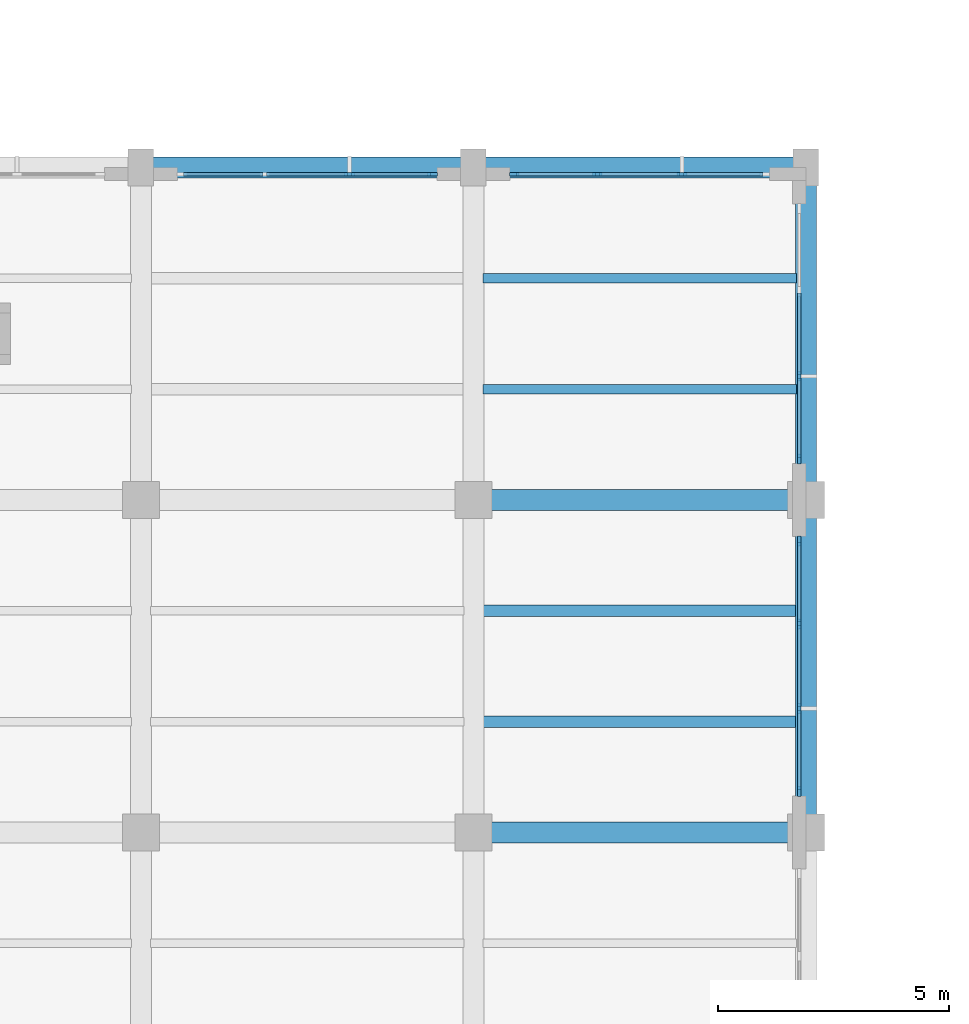
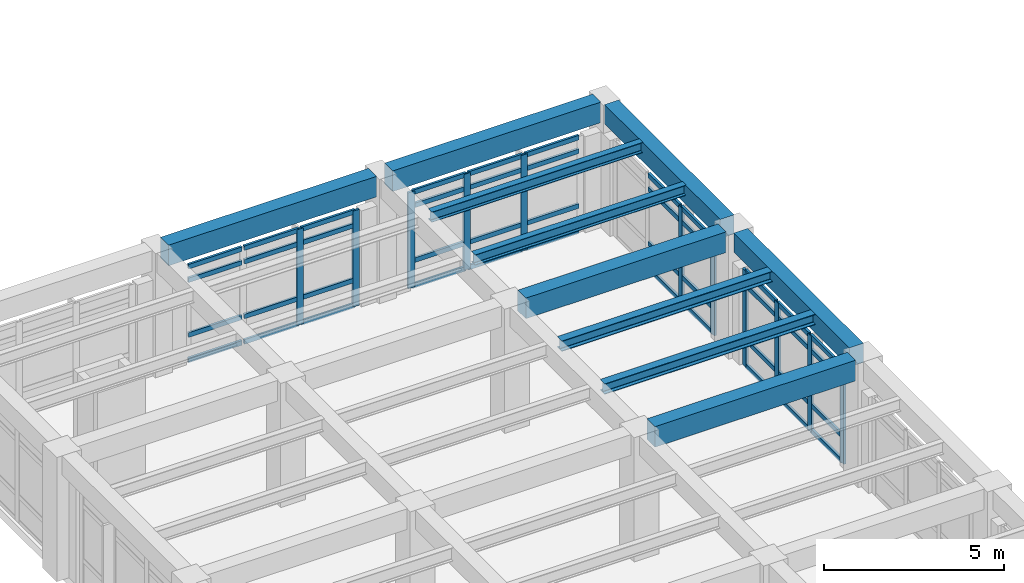
# One storey, part 21 of 67: 55 members, 10 beams, 4 elements without a shape of their own.
"""IFC4 building model written with IfcOpenShell, lengths in metres."""

from ifc_helpers import new_model, si_unit, direction, frame, origin, origin_2d, place, context, subcontext, project, spatial, rectangle, i_section, extrude, material, layer, layer_set, material_profile, profile_set, type_object, element, aggregate, save


model = new_model("IFC4")

# Units and contexts
model_context = context("Model", 3, precision=1e-05, world=origin(), true_north=direction((0.0, 1.0)))
body_context = subcontext(model_context, "Body", "Model", "MODEL_VIEW")
ifc_project = project(units=[si_unit("LENGTHUNIT", "METRE"), si_unit("AREAUNIT", "SQUARE_METRE"), si_unit("VOLUMEUNIT", "CUBIC_METRE"), si_unit("PLANEANGLEUNIT", "RADIAN"), si_unit("MASSUNIT", "GRAM", prefix="KILO")], contexts=[model_context])

# Site, building, storey
site_placement = place(None, origin())
site = spatial("IfcSite", under=ifc_project, at=site_placement, CompositionType="ELEMENT")
building_placement = place(site_placement, origin())
building = spatial("IfcBuilding", under=site, at=building_placement, Name="Solenvale Faculty of Natural Sciences", CompositionType="ELEMENT")
storey_placement = place(building_placement, frame((0.0, 0.0, 13.5)))
storey = spatial("IfcBuildingStorey", under=building, at=storey_placement, Name="L03", CompositionType="ELEMENT", Elevation=13.5)

# Beams
ifc_material_1 = material(Name="Concrete 40 MPa", Category="concrete")
ifc_material_profile_1 = material_profile(ifc_material_1, rectangle(XDim=0.449951171875, YDim=0.64990234375, at=origin_2d()), Name="RC-BM-450x650")
ifc_profile_set_1 = profile_set([ifc_material_profile_1], Name="Concrete 40 MPa")
beam_type_1 = type_object("IfcBeamType", Name="BM-RC-450x650", PredefinedType="BEAM", material=ifc_profile_set_1)
for number, where, z_axis, x_axis, name in (
    (1, (57.60009765625, 79.580078125, 3.89501953125), (0.0, 1.0, 0.0), (-1.0, 0.0, 0.0), "L03 Y-Girder X57.6 (79.2..86.4)"),
    (2, (57.60009765625, 86.780029296875, 3.89501953125), (0.0, 1.0, 0.0), (-1.0, 0.0, 0.0), "L03 Y-Girder X57.6 (86.4..93.6)"),
):
    element("IfcBeam", number, at=place(storey_placement, frame(where, z_axis=z_axis, x_axis=x_axis)), inside=storey, type_object=beam_type_1, Name=name, PredefinedType="BEAM", context=body_context, shape_type="SweptSolid", body=[
        extrude(rectangle(XDim=0.449951171875, YDim=0.64990234375, at=origin_2d()), origin(), (0.0, 0.0, 1.0), 6.43994140625),
    ])
ifc_material_profile_2 = material_profile(ifc_material_1, rectangle(XDim=0.449951171875, YDim=0.699951171875, at=origin_2d()), Name="RC-BM-450x700")
ifc_profile_set_2 = profile_set([ifc_material_profile_2], Name="Concrete 40 MPa")
beam_type_2 = type_object("IfcBeamType", Name="BM-RC-450x700", PredefinedType="BEAM", material=ifc_profile_set_2)
for number, where, z_axis, x_axis, name in (
    (3, (50.780029296875, 79.199951171875, 3.8701171875), (1.0, 0.0, 0.0), (0.0, 1.0, 0.0), "L03 X-Girder Y79.2 (50.4..57.6)"),
    (4, (50.780029296875, 86.39990234375, 3.8701171875), (1.0, 0.0, 0.0), (0.0, 1.0, 0.0), "L03 X-Girder Y86.4 (50.4..57.6)"),
):
    element("IfcBeam", number, at=place(storey_placement, frame(where, z_axis=z_axis, x_axis=x_axis)), inside=storey, type_object=beam_type_2, Name=name, PredefinedType="BEAM", context=body_context, shape_type="SweptSolid", body=[
        extrude(rectangle(XDim=0.449951171875, YDim=0.699951171875, at=origin_2d()), origin(), (0.0, 0.0, 1.0), 6.43994140625),
    ])
for number, where, z_axis, x_axis, name in (
    (5, (43.455078125, 93.60009765625, 3.8701171875), (1.0, 0.0, 0.0), (0.0, 1.0, 0.0), "L03 X-Girder Y93.6 (43.2..50.4)"),
    (6, (50.655029296875, 93.60009765625, 3.8701171875), (1.0, 0.0, 0.0), (0.0, 1.0, 0.0), "L03 X-Girder Y93.6 (50.4..57.6)"),
):
    element("IfcBeam", number, at=place(storey_placement, frame(where, z_axis=z_axis, x_axis=x_axis)), inside=storey, type_object=beam_type_2, Name=name, PredefinedType="BEAM", context=body_context, shape_type="SweptSolid", body=[
        extrude(rectangle(XDim=0.449951171875, YDim=0.699951171875, at=origin_2d()), origin(), (0.0, 0.0, 1.0), 6.68994140625),
    ])
ifc_material_2 = material(Name="Steel S355", Category="steel")
ifc_material_profile_3 = material_profile(ifc_material_2, i_section(OverallWidth=0.2548828125, OverallDepth=0.35693359375, WebThickness=0.010498046875, FlangeThickness=0.018310546875, FilletRadius=0.014892578125, at=origin_2d()), Name="W360x101")
ifc_profile_set_3 = profile_set([ifc_material_profile_3], Name="Steel S355")
beam_type_3 = type_object("IfcBeamType", Name="BM-STL-W360x101", PredefinedType="JOIST", material=ifc_profile_set_3)
for number, where, z_axis, x_axis, name in (
    (7, (50.60498046875, 81.60009765625, 4.04150390625), (1.0, 0.0, 0.0), (0.0, 1.0, 0.0), "L03 Composite Floor Joist (8,12).1"),
    (8, (50.60498046875, 84.0, 4.04150390625), (1.0, 0.0, 0.0), (0.0, 1.0, 0.0), "L03 Composite Floor Joist (8,12).2"),
):
    element("IfcBeam", number, at=place(storey_placement, frame(where, z_axis=z_axis, x_axis=x_axis)), inside=storey, type_object=beam_type_3, Name=name, PredefinedType="JOIST", context=body_context, shape_type="SweptSolid", body=[
        extrude(i_section(OverallWidth=0.2548828125, OverallDepth=0.35693359375, WebThickness=0.010498046875, FlangeThickness=0.018310546875, FilletRadius=0.014892578125, at=origin_2d()), origin(), (0.0, 0.0, 1.0), 6.7900390625),
    ])
ifc_material_profile_4 = material_profile(ifc_material_2, i_section(OverallWidth=0.2041015625, OverallDepth=0.35009765625, WebThickness=0.008544921875, FlangeThickness=0.01513671875, FilletRadius=0.014892578125, at=origin_2d()), Name="W360x72")
ifc_profile_set_4 = profile_set([ifc_material_profile_4], Name="Steel S355")
beam_type_4 = type_object("IfcBeamType", Name="BM-STL-W360x72", PredefinedType="JOIST", material=ifc_profile_set_4)
for number, where, z_axis, x_axis, name in (
    (9, (50.60498046875, 88.800048828125, 4.044921875), (1.0, 0.0, 0.0), (0.0, 1.0, 0.0), "L03 Composite Floor Joist (8,13).1"),
    (10, (50.60498046875, 91.199951171875, 4.044921875), (1.0, 0.0, 0.0), (0.0, 1.0, 0.0), "L03 Composite Floor Joist (8,13).2"),
):
    element("IfcBeam", number, at=place(storey_placement, frame(where, z_axis=z_axis, x_axis=x_axis)), inside=storey, type_object=beam_type_4, Name=name, PredefinedType="JOIST", context=body_context, shape_type="SweptSolid", body=[
        extrude(i_section(OverallWidth=0.2041015625, OverallDepth=0.35009765625, WebThickness=0.008544921875, FlangeThickness=0.01513671875, FilletRadius=0.014892578125, at=origin_2d()), origin(), (0.0, 0.0, 1.0), 6.7900390625),
    ])

# Curtain wall, members
ifc_material_3 = material(Name="Anodised bronze aluminium", Category="aluminium")
ifc_layer = layer(ifc_material_3, 0.215087890625)
ifc_layer_set = layer_set([ifc_layer], Name="Anodised bronze aluminium")
curtain_wall_type = type_object("IfcCurtainWallType", Name="CW-ATR-UNIT", PredefinedType="USERDEFINED", material=ifc_layer_set)
curtain_wall_1_placement = place(storey_placement, origin())
curtain_wall_1 = element("IfcCurtainWall", 11, at=curtain_wall_1_placement, inside=storey, type_object=curtain_wall_type, Name="L03 Curtain Wall CW-L03-P1-E1-B7", ObjectType="UNITISED CURTAIN WALL", PredefinedType="USERDEFINED")
ifc_material_profile_5 = material_profile(ifc_material_3, rectangle(XDim=0.074951171875, YDim=0.2099609375, at=origin_2d()), Name="ALU-MUL-75x210")
ifc_profile_set_5 = profile_set([ifc_material_profile_5], Name="Anodised bronze aluminium")
member_type_1 = type_object("IfcMemberType", Name="CWM-ALU-75x210", PredefinedType="MULLION", material=ifc_profile_set_5)
member_1_placement = place(storey_placement, frame((57.45751953125, 80.08740234375, 0.0), z_axis=(0.0, 0.0, 1.0), x_axis=(-1.0, 0.0, 0.0)))
member_1 = element("IfcMember", 12, at=member_1_placement, type_object=member_type_1, Name="CW-01 mullion 1", PredefinedType="MULLION", context=body_context, shape_type="SweptSolid", body=[
    extrude(rectangle(XDim=0.074951171875, YDim=0.2099609375, at=origin_2d()), origin(), (0.0, 0.0, 1.0), 3.260009765625),
])
member_2_placement = place(storey_placement, frame((57.45751953125, 81.88330078125, 0.0), z_axis=(0.0, 0.0, 1.0), x_axis=(-1.0, 0.0, 0.0)))
member_2 = element("IfcMember", 13, at=member_2_placement, type_object=member_type_1, Name="CW-01 mullion 2", PredefinedType="MULLION", context=body_context, shape_type="SweptSolid", body=[
    extrude(rectangle(XDim=0.074951171875, YDim=0.2099609375, at=origin_2d()), origin(), (0.0, 0.0, 1.0), 3.260009765625),
])
member_3_placement = place(storey_placement, frame((57.45751953125, 83.716552734375, 0.0), z_axis=(0.0, 0.0, 1.0), x_axis=(-1.0, 0.0, 0.0)))
member_3 = element("IfcMember", 14, at=member_3_placement, type_object=member_type_1, Name="CW-01 mullion 3", PredefinedType="MULLION", context=body_context, shape_type="SweptSolid", body=[
    extrude(rectangle(XDim=0.074951171875, YDim=0.2099609375, at=origin_2d()), origin(), (0.0, 0.0, 1.0), 3.260009765625),
])
member_4_placement = place(storey_placement, frame((57.45751953125, 85.512451171875, 0.0), z_axis=(0.0, 0.0, 1.0), x_axis=(-1.0, 0.0, 0.0)))
member_4 = element("IfcMember", 15, at=member_4_placement, type_object=member_type_1, Name="CW-01 mullion 4", PredefinedType="MULLION", context=body_context, shape_type="SweptSolid", body=[
    extrude(rectangle(XDim=0.074951171875, YDim=0.2099609375, at=origin_2d()), origin(), (0.0, 0.0, 1.0), 3.260009765625),
])

curtain_wall_2_placement = place(storey_placement, origin())
curtain_wall_2 = element("IfcCurtainWall", 16, at=curtain_wall_2_placement, inside=storey, type_object=curtain_wall_type, Name="L03 Curtain Wall CW-L03-P1-E1-B8", ObjectType="UNITISED CURTAIN WALL", PredefinedType="USERDEFINED")
member_5_placement = place(storey_placement, frame((57.45751953125, 87.28759765625, 0.0), z_axis=(0.0, 0.0, 1.0), x_axis=(-1.0, 0.0, 0.0)))
member_5 = element("IfcMember", 17, at=member_5_placement, type_object=member_type_1, Name="CW-01 mullion 1", PredefinedType="MULLION", context=body_context, shape_type="SweptSolid", body=[
    extrude(rectangle(XDim=0.074951171875, YDim=0.2099609375, at=origin_2d()), origin(), (0.0, 0.0, 1.0), 3.260009765625),
])
member_6_placement = place(storey_placement, frame((57.45751953125, 89.083251953125, 0.0), z_axis=(0.0, 0.0, 1.0), x_axis=(-1.0, 0.0, 0.0)))
member_6 = element("IfcMember", 18, at=member_6_placement, type_object=member_type_1, Name="CW-01 mullion 2", PredefinedType="MULLION", context=body_context, shape_type="SweptSolid", body=[
    extrude(rectangle(XDim=0.074951171875, YDim=0.2099609375, at=origin_2d()), origin(), (0.0, 0.0, 1.0), 3.260009765625),
])

curtain_wall_3_placement = place(storey_placement, origin())
curtain_wall_3 = element("IfcCurtainWall", 19, at=curtain_wall_3_placement, inside=storey, type_object=curtain_wall_type, Name="L03 Curtain Wall CW-L03-P1-E2-B1", ObjectType="UNITISED CURTAIN WALL", PredefinedType="USERDEFINED")
member_7_placement = place(storey_placement, frame((54.916748046875, 93.45751953125, 0.0), z_axis=(0.0, 0.0, 1.0), x_axis=(0.0, -1.0, 0.0)))
member_7 = element("IfcMember", 20, at=member_7_placement, type_object=member_type_1, Name="CW-01 mullion 2", PredefinedType="MULLION", context=body_context, shape_type="SweptSolid", body=[
    extrude(rectangle(XDim=0.074951171875, YDim=0.2099609375, at=origin_2d()), origin(), (0.0, 0.0, 1.0), 3.260009765625),
])
member_8_placement = place(storey_placement, frame((53.083251953125, 93.45751953125, 0.0), z_axis=(0.0, 0.0, 1.0), x_axis=(0.0, -1.0, 0.0)))
member_8 = element("IfcMember", 21, at=member_8_placement, type_object=member_type_1, Name="CW-01 mullion 3", PredefinedType="MULLION", context=body_context, shape_type="SweptSolid", body=[
    extrude(rectangle(XDim=0.074951171875, YDim=0.2099609375, at=origin_2d()), origin(), (0.0, 0.0, 1.0), 3.260009765625),
])
member_9_placement = place(storey_placement, frame((51.28759765625, 93.45751953125, 0.0), z_axis=(0.0, 0.0, 1.0), x_axis=(0.0, -1.0, 0.0)))
member_9 = element("IfcMember", 22, at=member_9_placement, type_object=member_type_1, Name="CW-01 mullion 4", PredefinedType="MULLION", context=body_context, shape_type="SweptSolid", body=[
    extrude(rectangle(XDim=0.074951171875, YDim=0.2099609375, at=origin_2d()), origin(), (0.0, 0.0, 1.0), 3.260009765625),
])

curtain_wall_4_placement = place(storey_placement, origin())
curtain_wall_4 = element("IfcCurtainWall", 23, at=curtain_wall_4_placement, inside=storey, type_object=curtain_wall_type, Name="L03 Curtain Wall CW-L03-P1-E2-B2", ObjectType="UNITISED CURTAIN WALL", PredefinedType="USERDEFINED")
member_10_placement = place(storey_placement, frame((49.512451171875, 93.45751953125, 0.0), z_axis=(0.0, 0.0, 1.0), x_axis=(0.0, -1.0, 0.0)))
member_10 = element("IfcMember", 24, at=member_10_placement, type_object=member_type_1, Name="CW-01 mullion 1", PredefinedType="MULLION", context=body_context, shape_type="SweptSolid", body=[
    extrude(rectangle(XDim=0.074951171875, YDim=0.2099609375, at=origin_2d()), origin(), (0.0, 0.0, 1.0), 3.260009765625),
])
member_11_placement = place(storey_placement, frame((47.716552734375, 93.45751953125, 0.0), z_axis=(0.0, 0.0, 1.0), x_axis=(0.0, -1.0, 0.0)))
member_11 = element("IfcMember", 25, at=member_11_placement, type_object=member_type_1, Name="CW-01 mullion 2", PredefinedType="MULLION", context=body_context, shape_type="SweptSolid", body=[
    extrude(rectangle(XDim=0.074951171875, YDim=0.2099609375, at=origin_2d()), origin(), (0.0, 0.0, 1.0), 3.260009765625),
])

# Member
ifc_material_profile_6 = material_profile(ifc_material_3, rectangle(XDim=0.074951171875, YDim=0.155029296875, at=origin_2d()), Name="ALU-TRN-75x155")
ifc_profile_set_6 = profile_set([ifc_material_profile_6], Name="Anodised bronze aluminium")
member_type_2 = type_object("IfcMemberType", Name="CWT-ALU-75x155", PredefinedType="USERDEFINED", material=ifc_profile_set_6)
member_12_placement = place(storey_placement, frame((57.45751953125, 80.125, 0.03759765625), z_axis=(0.0, 1.0, 0.0), x_axis=(-1.0, 0.0, 0.0)))
member_12 = element("IfcMember", 26, at=member_12_placement, type_object=member_type_2, Name="CW-01 transom 1.1", ObjectType="TRANSOM", PredefinedType="USERDEFINED", context=body_context, shape_type="SweptSolid", body=[
    extrude(rectangle(XDim=0.074951171875, YDim=0.155029296875, at=origin_2d()), origin(), (0.0, 0.0, 1.0), 1.720947265625),
])

member_13_placement = place(storey_placement, frame((57.45751953125, 80.125, 0.89990234375), z_axis=(0.0, 1.0, 0.0), x_axis=(-1.0, 0.0, 0.0)))
member_13 = element("IfcMember", 27, at=member_13_placement, type_object=member_type_2, Name="CW-01 transom 1.2", ObjectType="TRANSOM", PredefinedType="USERDEFINED", context=body_context, shape_type="SweptSolid", body=[
    extrude(rectangle(XDim=0.074951171875, YDim=0.155029296875, at=origin_2d()), origin(), (0.0, 0.0, 1.0), 1.720947265625),
])

member_14_placement = place(storey_placement, frame((57.45751953125, 80.125, 2.760009765625), z_axis=(0.0, 1.0, 0.0), x_axis=(-1.0, 0.0, 0.0)))
member_14 = element("IfcMember", 28, at=member_14_placement, type_object=member_type_2, Name="CW-01 transom 1.3", ObjectType="TRANSOM", PredefinedType="USERDEFINED", context=body_context, shape_type="SweptSolid", body=[
    extrude(rectangle(XDim=0.074951171875, YDim=0.155029296875, at=origin_2d()), origin(), (0.0, 0.0, 1.0), 1.720947265625),
])

member_15_placement = place(storey_placement, frame((57.45751953125, 80.125, 3.222412109375), z_axis=(0.0, 1.0, 0.0), x_axis=(-1.0, 0.0, 0.0)))
member_15 = element("IfcMember", 29, at=member_15_placement, type_object=member_type_2, Name="CW-01 transom 1.4", ObjectType="TRANSOM", PredefinedType="USERDEFINED", context=body_context, shape_type="SweptSolid", body=[
    extrude(rectangle(XDim=0.074951171875, YDim=0.155029296875, at=origin_2d()), origin(), (0.0, 0.0, 1.0), 1.720947265625),
])

member_16_placement = place(storey_placement, frame((57.45751953125, 81.9208984375, 0.03759765625), z_axis=(0.0, 1.0, 0.0), x_axis=(-1.0, 0.0, 0.0)))
member_16 = element("IfcMember", 30, at=member_16_placement, type_object=member_type_2, Name="CW-01 transom 2.1", ObjectType="TRANSOM", PredefinedType="USERDEFINED", context=body_context, shape_type="SweptSolid", body=[
    extrude(rectangle(XDim=0.074951171875, YDim=0.155029296875, at=origin_2d()), origin(), (0.0, 0.0, 1.0), 1.75830078125),
])

member_17_placement = place(storey_placement, frame((57.45751953125, 81.9208984375, 0.89990234375), z_axis=(0.0, 1.0, 0.0), x_axis=(-1.0, 0.0, 0.0)))
member_17 = element("IfcMember", 31, at=member_17_placement, type_object=member_type_2, Name="CW-01 transom 2.2", ObjectType="TRANSOM", PredefinedType="USERDEFINED", context=body_context, shape_type="SweptSolid", body=[
    extrude(rectangle(XDim=0.074951171875, YDim=0.155029296875, at=origin_2d()), origin(), (0.0, 0.0, 1.0), 1.75830078125),
])

member_18_placement = place(storey_placement, frame((57.45751953125, 81.9208984375, 2.760009765625), z_axis=(0.0, 1.0, 0.0), x_axis=(-1.0, 0.0, 0.0)))
member_18 = element("IfcMember", 32, at=member_18_placement, type_object=member_type_2, Name="CW-01 transom 2.3", ObjectType="TRANSOM", PredefinedType="USERDEFINED", context=body_context, shape_type="SweptSolid", body=[
    extrude(rectangle(XDim=0.074951171875, YDim=0.155029296875, at=origin_2d()), origin(), (0.0, 0.0, 1.0), 1.75830078125),
])

member_19_placement = place(storey_placement, frame((57.45751953125, 81.9208984375, 3.222412109375), z_axis=(0.0, 1.0, 0.0), x_axis=(-1.0, 0.0, 0.0)))
member_19 = element("IfcMember", 33, at=member_19_placement, type_object=member_type_2, Name="CW-01 transom 2.4", ObjectType="TRANSOM", PredefinedType="USERDEFINED", context=body_context, shape_type="SweptSolid", body=[
    extrude(rectangle(XDim=0.074951171875, YDim=0.155029296875, at=origin_2d()), origin(), (0.0, 0.0, 1.0), 1.75830078125),
])

member_20_placement = place(storey_placement, frame((57.45751953125, 83.754150390625, 0.03759765625), z_axis=(0.0, 1.0, 0.0), x_axis=(-1.0, 0.0, 0.0)))
member_20 = element("IfcMember", 34, at=member_20_placement, type_object=member_type_2, Name="CW-01 transom 3.1", ObjectType="TRANSOM", PredefinedType="USERDEFINED", context=body_context, shape_type="SweptSolid", body=[
    extrude(rectangle(XDim=0.074951171875, YDim=0.155029296875, at=origin_2d()), origin(), (0.0, 0.0, 1.0), 1.720947265625),
])

member_21_placement = place(storey_placement, frame((57.45751953125, 83.754150390625, 0.89990234375), z_axis=(0.0, 1.0, 0.0), x_axis=(-1.0, 0.0, 0.0)))
member_21 = element("IfcMember", 35, at=member_21_placement, type_object=member_type_2, Name="CW-01 transom 3.2", ObjectType="TRANSOM", PredefinedType="USERDEFINED", context=body_context, shape_type="SweptSolid", body=[
    extrude(rectangle(XDim=0.074951171875, YDim=0.155029296875, at=origin_2d()), origin(), (0.0, 0.0, 1.0), 1.720947265625),
])

member_22_placement = place(storey_placement, frame((57.45751953125, 83.754150390625, 2.760009765625), z_axis=(0.0, 1.0, 0.0), x_axis=(-1.0, 0.0, 0.0)))
member_22 = element("IfcMember", 36, at=member_22_placement, type_object=member_type_2, Name="CW-01 transom 3.3", ObjectType="TRANSOM", PredefinedType="USERDEFINED", context=body_context, shape_type="SweptSolid", body=[
    extrude(rectangle(XDim=0.074951171875, YDim=0.155029296875, at=origin_2d()), origin(), (0.0, 0.0, 1.0), 1.720947265625),
])

member_23_placement = place(storey_placement, frame((57.45751953125, 83.754150390625, 3.222412109375), z_axis=(0.0, 1.0, 0.0), x_axis=(-1.0, 0.0, 0.0)))
member_23 = element("IfcMember", 37, at=member_23_placement, type_object=member_type_2, Name="CW-01 transom 3.4", ObjectType="TRANSOM", PredefinedType="USERDEFINED", context=body_context, shape_type="SweptSolid", body=[
    extrude(rectangle(XDim=0.074951171875, YDim=0.155029296875, at=origin_2d()), origin(), (0.0, 0.0, 1.0), 1.720947265625),
])

aggregate(curtain_wall_1, [member_1, member_2, member_3, member_4, member_12, member_13, member_14, member_15, member_16, member_17, member_18, member_19, member_20, member_21, member_22, member_23])

member_24_placement = place(storey_placement, frame((57.45751953125, 87.324951171875, 0.03759765625), z_axis=(0.0, 1.0, 0.0), x_axis=(-1.0, 0.0, 0.0)))
member_24 = element("IfcMember", 38, at=member_24_placement, type_object=member_type_2, Name="CW-01 transom 1.1", ObjectType="TRANSOM", PredefinedType="USERDEFINED", context=body_context, shape_type="SweptSolid", body=[
    extrude(rectangle(XDim=0.074951171875, YDim=0.155029296875, at=origin_2d()), origin(), (0.0, 0.0, 1.0), 1.720947265625),
])

member_25_placement = place(storey_placement, frame((57.45751953125, 87.324951171875, 0.89990234375), z_axis=(0.0, 1.0, 0.0), x_axis=(-1.0, 0.0, 0.0)))
member_25 = element("IfcMember", 39, at=member_25_placement, type_object=member_type_2, Name="CW-01 transom 1.2", ObjectType="TRANSOM", PredefinedType="USERDEFINED", context=body_context, shape_type="SweptSolid", body=[
    extrude(rectangle(XDim=0.074951171875, YDim=0.155029296875, at=origin_2d()), origin(), (0.0, 0.0, 1.0), 1.720947265625),
])

member_26_placement = place(storey_placement, frame((57.45751953125, 87.324951171875, 2.760009765625), z_axis=(0.0, 1.0, 0.0), x_axis=(-1.0, 0.0, 0.0)))
member_26 = element("IfcMember", 40, at=member_26_placement, type_object=member_type_2, Name="CW-01 transom 1.3", ObjectType="TRANSOM", PredefinedType="USERDEFINED", context=body_context, shape_type="SweptSolid", body=[
    extrude(rectangle(XDim=0.074951171875, YDim=0.155029296875, at=origin_2d()), origin(), (0.0, 0.0, 1.0), 1.720947265625),
])

member_27_placement = place(storey_placement, frame((57.45751953125, 87.324951171875, 3.222412109375), z_axis=(0.0, 1.0, 0.0), x_axis=(-1.0, 0.0, 0.0)))
member_27 = element("IfcMember", 41, at=member_27_placement, type_object=member_type_2, Name="CW-01 transom 1.4", ObjectType="TRANSOM", PredefinedType="USERDEFINED", context=body_context, shape_type="SweptSolid", body=[
    extrude(rectangle(XDim=0.074951171875, YDim=0.155029296875, at=origin_2d()), origin(), (0.0, 0.0, 1.0), 1.720947265625),
])

member_28_placement = place(storey_placement, frame((57.45751953125, 89.120849609375, 0.03759765625), z_axis=(0.0, 1.0, 0.0), x_axis=(-1.0, 0.0, 0.0)))
member_28 = element("IfcMember", 42, at=member_28_placement, type_object=member_type_2, Name="CW-01 transom 2.1", ObjectType="TRANSOM", PredefinedType="USERDEFINED", context=body_context, shape_type="SweptSolid", body=[
    extrude(rectangle(XDim=0.074951171875, YDim=0.155029296875, at=origin_2d()), origin(), (0.0, 0.0, 1.0), 1.75830078125),
])

member_29_placement = place(storey_placement, frame((57.45751953125, 89.120849609375, 0.89990234375), z_axis=(0.0, 1.0, 0.0), x_axis=(-1.0, 0.0, 0.0)))
member_29 = element("IfcMember", 43, at=member_29_placement, type_object=member_type_2, Name="CW-01 transom 2.2", ObjectType="TRANSOM", PredefinedType="USERDEFINED", context=body_context, shape_type="SweptSolid", body=[
    extrude(rectangle(XDim=0.074951171875, YDim=0.155029296875, at=origin_2d()), origin(), (0.0, 0.0, 1.0), 1.75830078125),
])

member_30_placement = place(storey_placement, frame((57.45751953125, 89.120849609375, 2.760009765625), z_axis=(0.0, 1.0, 0.0), x_axis=(-1.0, 0.0, 0.0)))
member_30 = element("IfcMember", 44, at=member_30_placement, type_object=member_type_2, Name="CW-01 transom 2.3", ObjectType="TRANSOM", PredefinedType="USERDEFINED", context=body_context, shape_type="SweptSolid", body=[
    extrude(rectangle(XDim=0.074951171875, YDim=0.155029296875, at=origin_2d()), origin(), (0.0, 0.0, 1.0), 1.75830078125),
])

member_31_placement = place(storey_placement, frame((57.45751953125, 89.120849609375, 3.222412109375), z_axis=(0.0, 1.0, 0.0), x_axis=(-1.0, 0.0, 0.0)))
member_31 = element("IfcMember", 45, at=member_31_placement, type_object=member_type_2, Name="CW-01 transom 2.4", ObjectType="TRANSOM", PredefinedType="USERDEFINED", context=body_context, shape_type="SweptSolid", body=[
    extrude(rectangle(XDim=0.074951171875, YDim=0.155029296875, at=origin_2d()), origin(), (0.0, 0.0, 1.0), 1.75830078125),
])

aggregate(curtain_wall_2, [member_5, member_6, member_24, member_25, member_26, member_27, member_28, member_29, member_30, member_31])

member_32_placement = place(storey_placement, frame((56.675048828125, 93.45751953125, 0.03759765625), z_axis=(-1.0, 0.0, 0.0), x_axis=(0.0, -1.0, 0.0)))
member_32 = element("IfcMember", 46, at=member_32_placement, type_object=member_type_2, Name="CW-01 transom 1.1", ObjectType="TRANSOM", PredefinedType="USERDEFINED", context=body_context, shape_type="SweptSolid", body=[
    extrude(rectangle(XDim=0.074951171875, YDim=0.155029296875, at=origin_2d()), origin(), (0.0, 0.0, 1.0), 1.720947265625),
])

member_33_placement = place(storey_placement, frame((56.675048828125, 93.45751953125, 0.89990234375), z_axis=(-1.0, 0.0, 0.0), x_axis=(0.0, -1.0, 0.0)))
member_33 = element("IfcMember", 47, at=member_33_placement, type_object=member_type_2, Name="CW-01 transom 1.2", ObjectType="TRANSOM", PredefinedType="USERDEFINED", context=body_context, shape_type="SweptSolid", body=[
    extrude(rectangle(XDim=0.074951171875, YDim=0.155029296875, at=origin_2d()), origin(), (0.0, 0.0, 1.0), 1.720947265625),
])

member_34_placement = place(storey_placement, frame((56.675048828125, 93.45751953125, 2.760009765625), z_axis=(-1.0, 0.0, 0.0), x_axis=(0.0, -1.0, 0.0)))
member_34 = element("IfcMember", 48, at=member_34_placement, type_object=member_type_2, Name="CW-01 transom 1.3", ObjectType="TRANSOM", PredefinedType="USERDEFINED", context=body_context, shape_type="SweptSolid", body=[
    extrude(rectangle(XDim=0.074951171875, YDim=0.155029296875, at=origin_2d()), origin(), (0.0, 0.0, 1.0), 1.720947265625),
])

member_35_placement = place(storey_placement, frame((56.675048828125, 93.45751953125, 3.222412109375), z_axis=(-1.0, 0.0, 0.0), x_axis=(0.0, -1.0, 0.0)))
member_35 = element("IfcMember", 49, at=member_35_placement, type_object=member_type_2, Name="CW-01 transom 1.4", ObjectType="TRANSOM", PredefinedType="USERDEFINED", context=body_context, shape_type="SweptSolid", body=[
    extrude(rectangle(XDim=0.074951171875, YDim=0.155029296875, at=origin_2d()), origin(), (0.0, 0.0, 1.0), 1.720947265625),
])

member_36_placement = place(storey_placement, frame((54.879150390625, 93.45751953125, 0.03759765625), z_axis=(-1.0, 0.0, 0.0), x_axis=(0.0, -1.0, 0.0)))
member_36 = element("IfcMember", 50, at=member_36_placement, type_object=member_type_2, Name="CW-01 transom 2.1", ObjectType="TRANSOM", PredefinedType="USERDEFINED", context=body_context, shape_type="SweptSolid", body=[
    extrude(rectangle(XDim=0.074951171875, YDim=0.155029296875, at=origin_2d()), origin(), (0.0, 0.0, 1.0), 1.75830078125),
])

member_37_placement = place(storey_placement, frame((54.879150390625, 93.45751953125, 0.89990234375), z_axis=(-1.0, 0.0, 0.0), x_axis=(0.0, -1.0, 0.0)))
member_37 = element("IfcMember", 51, at=member_37_placement, type_object=member_type_2, Name="CW-01 transom 2.2", ObjectType="TRANSOM", PredefinedType="USERDEFINED", context=body_context, shape_type="SweptSolid", body=[
    extrude(rectangle(XDim=0.074951171875, YDim=0.155029296875, at=origin_2d()), origin(), (0.0, 0.0, 1.0), 1.75830078125),
])

member_38_placement = place(storey_placement, frame((54.879150390625, 93.45751953125, 2.760009765625), z_axis=(-1.0, 0.0, 0.0), x_axis=(0.0, -1.0, 0.0)))
member_38 = element("IfcMember", 52, at=member_38_placement, type_object=member_type_2, Name="CW-01 transom 2.3", ObjectType="TRANSOM", PredefinedType="USERDEFINED", context=body_context, shape_type="SweptSolid", body=[
    extrude(rectangle(XDim=0.074951171875, YDim=0.155029296875, at=origin_2d()), origin(), (0.0, 0.0, 1.0), 1.75830078125),
])

member_39_placement = place(storey_placement, frame((54.879150390625, 93.45751953125, 3.222412109375), z_axis=(-1.0, 0.0, 0.0), x_axis=(0.0, -1.0, 0.0)))
member_39 = element("IfcMember", 53, at=member_39_placement, type_object=member_type_2, Name="CW-01 transom 2.4", ObjectType="TRANSOM", PredefinedType="USERDEFINED", context=body_context, shape_type="SweptSolid", body=[
    extrude(rectangle(XDim=0.074951171875, YDim=0.155029296875, at=origin_2d()), origin(), (0.0, 0.0, 1.0), 1.75830078125),
])

member_40_placement = place(storey_placement, frame((53.0458984375, 93.45751953125, 0.03759765625), z_axis=(-1.0, 0.0, 0.0), x_axis=(0.0, -1.0, 0.0)))
member_40 = element("IfcMember", 54, at=member_40_placement, type_object=member_type_2, Name="CW-01 transom 3.1", ObjectType="TRANSOM", PredefinedType="USERDEFINED", context=body_context, shape_type="SweptSolid", body=[
    extrude(rectangle(XDim=0.074951171875, YDim=0.155029296875, at=origin_2d()), origin(), (0.0, 0.0, 1.0), 1.720947265625),
])

member_41_placement = place(storey_placement, frame((53.0458984375, 93.45751953125, 0.89990234375), z_axis=(-1.0, 0.0, 0.0), x_axis=(0.0, -1.0, 0.0)))
member_41 = element("IfcMember", 55, at=member_41_placement, type_object=member_type_2, Name="CW-01 transom 3.2", ObjectType="TRANSOM", PredefinedType="USERDEFINED", context=body_context, shape_type="SweptSolid", body=[
    extrude(rectangle(XDim=0.074951171875, YDim=0.155029296875, at=origin_2d()), origin(), (0.0, 0.0, 1.0), 1.720947265625),
])

member_42_placement = place(storey_placement, frame((53.0458984375, 93.45751953125, 2.760009765625), z_axis=(-1.0, 0.0, 0.0), x_axis=(0.0, -1.0, 0.0)))
member_42 = element("IfcMember", 56, at=member_42_placement, type_object=member_type_2, Name="CW-01 transom 3.3", ObjectType="TRANSOM", PredefinedType="USERDEFINED", context=body_context, shape_type="SweptSolid", body=[
    extrude(rectangle(XDim=0.074951171875, YDim=0.155029296875, at=origin_2d()), origin(), (0.0, 0.0, 1.0), 1.720947265625),
])

member_43_placement = place(storey_placement, frame((53.0458984375, 93.45751953125, 3.222412109375), z_axis=(-1.0, 0.0, 0.0), x_axis=(0.0, -1.0, 0.0)))
member_43 = element("IfcMember", 57, at=member_43_placement, type_object=member_type_2, Name="CW-01 transom 3.4", ObjectType="TRANSOM", PredefinedType="USERDEFINED", context=body_context, shape_type="SweptSolid", body=[
    extrude(rectangle(XDim=0.074951171875, YDim=0.155029296875, at=origin_2d()), origin(), (0.0, 0.0, 1.0), 1.720947265625),
])

aggregate(curtain_wall_3, [member_7, member_8, member_9, member_32, member_33, member_34, member_35, member_36, member_37, member_38, member_39, member_40, member_41, member_42, member_43])

member_44_placement = place(storey_placement, frame((49.47509765625, 93.45751953125, 0.03759765625), z_axis=(-1.0, 0.0, 0.0), x_axis=(0.0, -1.0, 0.0)))
member_44 = element("IfcMember", 58, at=member_44_placement, type_object=member_type_2, Name="CW-01 transom 1.1", ObjectType="TRANSOM", PredefinedType="USERDEFINED", context=body_context, shape_type="SweptSolid", body=[
    extrude(rectangle(XDim=0.074951171875, YDim=0.155029296875, at=origin_2d()), origin(), (0.0, 0.0, 1.0), 1.720947265625),
])

member_45_placement = place(storey_placement, frame((49.47509765625, 93.45751953125, 0.89990234375), z_axis=(-1.0, 0.0, 0.0), x_axis=(0.0, -1.0, 0.0)))
member_45 = element("IfcMember", 59, at=member_45_placement, type_object=member_type_2, Name="CW-01 transom 1.2", ObjectType="TRANSOM", PredefinedType="USERDEFINED", context=body_context, shape_type="SweptSolid", body=[
    extrude(rectangle(XDim=0.074951171875, YDim=0.155029296875, at=origin_2d()), origin(), (0.0, 0.0, 1.0), 1.720947265625),
])

member_46_placement = place(storey_placement, frame((49.47509765625, 93.45751953125, 2.760009765625), z_axis=(-1.0, 0.0, 0.0), x_axis=(0.0, -1.0, 0.0)))
member_46 = element("IfcMember", 60, at=member_46_placement, type_object=member_type_2, Name="CW-01 transom 1.3", ObjectType="TRANSOM", PredefinedType="USERDEFINED", context=body_context, shape_type="SweptSolid", body=[
    extrude(rectangle(XDim=0.074951171875, YDim=0.155029296875, at=origin_2d()), origin(), (0.0, 0.0, 1.0), 1.720947265625),
])

member_47_placement = place(storey_placement, frame((49.47509765625, 93.45751953125, 3.222412109375), z_axis=(-1.0, 0.0, 0.0), x_axis=(0.0, -1.0, 0.0)))
member_47 = element("IfcMember", 61, at=member_47_placement, type_object=member_type_2, Name="CW-01 transom 1.4", ObjectType="TRANSOM", PredefinedType="USERDEFINED", context=body_context, shape_type="SweptSolid", body=[
    extrude(rectangle(XDim=0.074951171875, YDim=0.155029296875, at=origin_2d()), origin(), (0.0, 0.0, 1.0), 1.720947265625),
])

member_48_placement = place(storey_placement, frame((47.67919921875, 93.45751953125, 0.03759765625), z_axis=(-1.0, 0.0, 0.0), x_axis=(0.0, -1.0, 0.0)))
member_48 = element("IfcMember", 62, at=member_48_placement, type_object=member_type_2, Name="CW-01 transom 2.1", ObjectType="TRANSOM", PredefinedType="USERDEFINED", context=body_context, shape_type="SweptSolid", body=[
    extrude(rectangle(XDim=0.074951171875, YDim=0.155029296875, at=origin_2d()), origin(), (0.0, 0.0, 1.0), 1.75830078125),
])

member_49_placement = place(storey_placement, frame((47.67919921875, 93.45751953125, 0.89990234375), z_axis=(-1.0, 0.0, 0.0), x_axis=(0.0, -1.0, 0.0)))
member_49 = element("IfcMember", 63, at=member_49_placement, type_object=member_type_2, Name="CW-01 transom 2.2", ObjectType="TRANSOM", PredefinedType="USERDEFINED", context=body_context, shape_type="SweptSolid", body=[
    extrude(rectangle(XDim=0.074951171875, YDim=0.155029296875, at=origin_2d()), origin(), (0.0, 0.0, 1.0), 1.75830078125),
])

member_50_placement = place(storey_placement, frame((47.67919921875, 93.45751953125, 2.760009765625), z_axis=(-1.0, 0.0, 0.0), x_axis=(0.0, -1.0, 0.0)))
member_50 = element("IfcMember", 64, at=member_50_placement, type_object=member_type_2, Name="CW-01 transom 2.3", ObjectType="TRANSOM", PredefinedType="USERDEFINED", context=body_context, shape_type="SweptSolid", body=[
    extrude(rectangle(XDim=0.074951171875, YDim=0.155029296875, at=origin_2d()), origin(), (0.0, 0.0, 1.0), 1.75830078125),
])

member_51_placement = place(storey_placement, frame((47.67919921875, 93.45751953125, 3.222412109375), z_axis=(-1.0, 0.0, 0.0), x_axis=(0.0, -1.0, 0.0)))
member_51 = element("IfcMember", 65, at=member_51_placement, type_object=member_type_2, Name="CW-01 transom 2.4", ObjectType="TRANSOM", PredefinedType="USERDEFINED", context=body_context, shape_type="SweptSolid", body=[
    extrude(rectangle(XDim=0.074951171875, YDim=0.155029296875, at=origin_2d()), origin(), (0.0, 0.0, 1.0), 1.75830078125),
])

member_52_placement = place(storey_placement, frame((45.845947265625, 93.45751953125, 0.03759765625), z_axis=(-1.0, 0.0, 0.0), x_axis=(0.0, -1.0, 0.0)))
member_52 = element("IfcMember", 66, at=member_52_placement, type_object=member_type_2, Name="CW-01 transom 3.1", ObjectType="TRANSOM", PredefinedType="USERDEFINED", context=body_context, shape_type="SweptSolid", body=[
    extrude(rectangle(XDim=0.074951171875, YDim=0.155029296875, at=origin_2d()), origin(), (0.0, 0.0, 1.0), 1.720947265625),
])

member_53_placement = place(storey_placement, frame((45.845947265625, 93.45751953125, 0.89990234375), z_axis=(-1.0, 0.0, 0.0), x_axis=(0.0, -1.0, 0.0)))
member_53 = element("IfcMember", 67, at=member_53_placement, type_object=member_type_2, Name="CW-01 transom 3.2", ObjectType="TRANSOM", PredefinedType="USERDEFINED", context=body_context, shape_type="SweptSolid", body=[
    extrude(rectangle(XDim=0.074951171875, YDim=0.155029296875, at=origin_2d()), origin(), (0.0, 0.0, 1.0), 1.720947265625),
])

member_54_placement = place(storey_placement, frame((45.845947265625, 93.45751953125, 2.760009765625), z_axis=(-1.0, 0.0, 0.0), x_axis=(0.0, -1.0, 0.0)))
member_54 = element("IfcMember", 68, at=member_54_placement, type_object=member_type_2, Name="CW-01 transom 3.3", ObjectType="TRANSOM", PredefinedType="USERDEFINED", context=body_context, shape_type="SweptSolid", body=[
    extrude(rectangle(XDim=0.074951171875, YDim=0.155029296875, at=origin_2d()), origin(), (0.0, 0.0, 1.0), 1.720947265625),
])

member_55_placement = place(storey_placement, frame((45.845947265625, 93.45751953125, 3.222412109375), z_axis=(-1.0, 0.0, 0.0), x_axis=(0.0, -1.0, 0.0)))
member_55 = element("IfcMember", 69, at=member_55_placement, type_object=member_type_2, Name="CW-01 transom 3.4", ObjectType="TRANSOM", PredefinedType="USERDEFINED", context=body_context, shape_type="SweptSolid", body=[
    extrude(rectangle(XDim=0.074951171875, YDim=0.155029296875, at=origin_2d()), origin(), (0.0, 0.0, 1.0), 1.720947265625),
])

aggregate(curtain_wall_4, [member_10, member_11, member_44, member_45, member_46, member_47, member_48, member_49, member_50, member_51, member_52, member_53, member_54, member_55])

save(model, "model.ifc")
